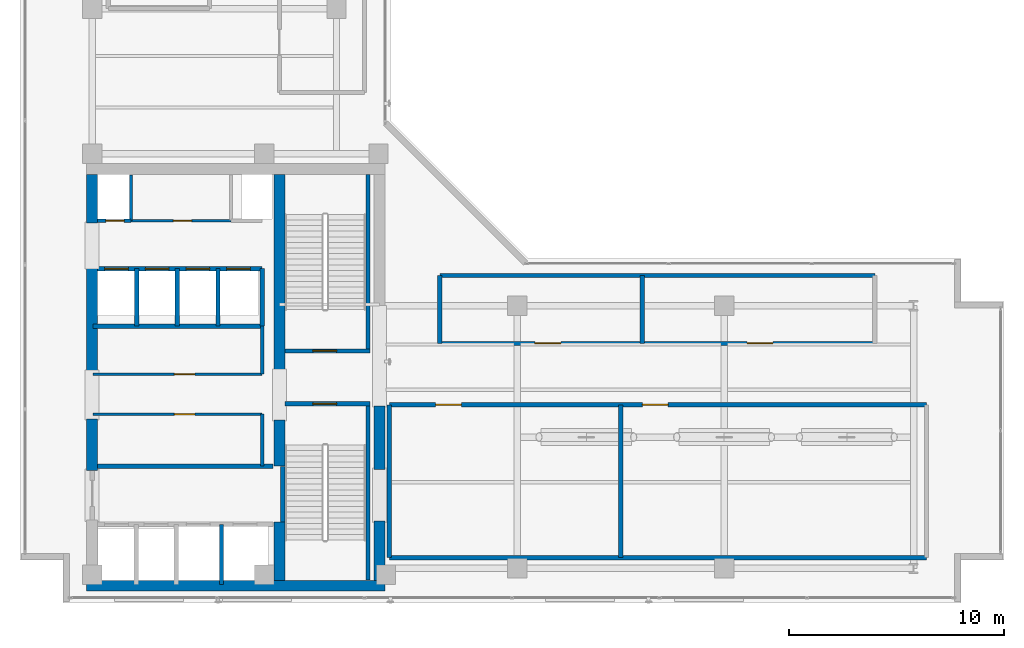
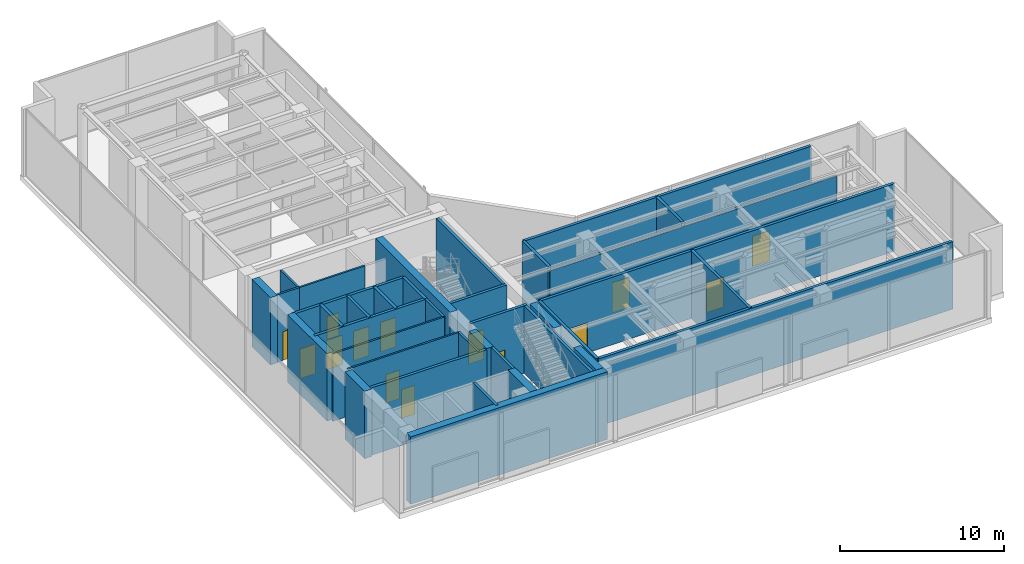
# One storey, part 25 of 29: 37 walls, 14 doors, 14 openings.
"""IFC4 building model written with IfcOpenShell, lengths in metres."""

from ifc_helpers import new_model, si_unit, direction, frame, frame_2d, origin, place, context, subcontext, project, spatial, rectangle, extrude, material, layer, layer_set, type_object, element, fill, save


model = new_model("IFC4")

# Units and contexts
model_context = context("Model", 3, precision=1e-05, world=origin(), true_north=direction((0.0, 1.0)))
body_context = subcontext(model_context, "Body", "Model", "MODEL_VIEW")
ifc_project = project(units=[si_unit("LENGTHUNIT", "METRE"), si_unit("AREAUNIT", "SQUARE_METRE"), si_unit("VOLUMEUNIT", "CUBIC_METRE"), si_unit("PLANEANGLEUNIT", "RADIAN"), si_unit("MASSUNIT", "GRAM", prefix="KILO")], contexts=[model_context])

# Site, building, storey
site_placement = place(None, origin())
site = spatial("IfcSite", under=ifc_project, at=site_placement, CompositionType="ELEMENT")
building_placement = place(site_placement, origin())
building = spatial("IfcBuilding", under=site, at=building_placement, Name="Kolvaren Waterfront Exchange", CompositionType="ELEMENT")
storey_placement = place(building_placement, frame((0.0, 0.0, 338.800048828125)))
storey = spatial("IfcBuildingStorey", under=building, at=storey_placement, Name="L87", CompositionType="ELEMENT", Elevation=338.800048828125)

# Wall, opening, door
ifc_material_1 = material(Name="Precast concrete C40/50", Category="concrete")
ifc_layer_1 = layer(ifc_material_1, 0.199951171875, Name="Precast concrete C40/50")
ifc_layer_set_1 = layer_set([ifc_layer_1], Name="Precast concrete C40/50")
wall_type_1 = type_object("IfcWallType", Name="ARC-FIRE-200", PredefinedType="PARTITIONING", material=ifc_layer_set_1)
wall_1_placement = place(storey_placement, frame((16.39990234375, 12.85009765625, 0.0), z_axis=(0.0, 0.0, 1.0), x_axis=(1.0, 0.0, 0.0)))
wall_1 = element("IfcWall", 1, at=wall_1_placement, inside=storey, type_object=wall_type_1, Name="L87 interior wall PW-L87-ST1-THROAT-S", PredefinedType="PARTITIONING", context=body_context, shape_type="SweptSolid", body=[
    extrude(rectangle(XDim=3.960205078125, YDim=0.199951171875, at=frame_2d((1.97998046875, 0.0))), origin(), (0.0, 0.0, 1.0), 5.02001953125),
])
opening_1_placement = place(wall_1_placement, frame((1.3037109375, 0.0, 0.0)))
opening_1 = element("IfcOpeningElement", 2, at=opening_1_placement, cuts=wall_1, Name="Opening FD2", PredefinedType="OPENING", context=body_context, shape_type="SweptSolid", body=[
    extrude(rectangle(XDim=1.10009765625, YDim=2.199951171875, at=frame_2d((0.550048828125, 1.10009765625))), frame((0.0, 0.10986328125, 0.0), z_axis=(0.0, -1.0, 0.0), x_axis=(1.0, 0.0, 0.0)), (0.0, 0.0, 1.0), 0.219970703125),
])
ifc_material_2 = material(Name="Pressed steel smoke-seal fire door", Category="steel")
door_type_1 = type_object("IfcDoorType", Name="ARC-FD-1100", OperationType="NOTDEFINED", PredefinedType="DOOR", material=ifc_material_2)
door_1_placement = place(opening_1_placement, frame((1.10009765625, 0.0, 0.0), z_axis=(0.0, 0.0, 1.0), x_axis=(-1.0, 0.0, 0.0)))
door_1 = element("IfcDoor", 3, at=door_1_placement, inside=storey, type_object=door_type_1, Name="L87 door DR-L87-ST1-IN (FD2)", OperationType="SINGLE_SWING_RIGHT", OverallHeight=2.199951171875, OverallWidth=1.10009765625, PredefinedType="DOOR", context=body_context, shape_type="SweptSolid", body=[
    extrude(rectangle(XDim=1.10009765625, YDim=2.199951171875, at=frame_2d((0.550048828125, 1.10009765625))), frame((0.0, 0.02490234375, 0.0), z_axis=(0.0, -1.0, 0.0), x_axis=(1.0, 0.0, 0.0)), (0.0, 0.0, 1.0), 0.050048828125),
])
fill(opening_1, door_1)

wall_2_placement = place(storey_placement, frame((16.409912109375, 15.300048828125, 0.0), z_axis=(0.0, 0.0, 1.0), x_axis=(1.0, 0.0, 0.0)))
wall_2 = element("IfcWall", 4, at=wall_2_placement, inside=storey, type_object=wall_type_1, Name="L87 interior wall PW-L87-ST2-THROAT-N", PredefinedType="PARTITIONING", context=body_context, shape_type="SweptSolid", body=[
    extrude(rectangle(XDim=3.9501953125, YDim=0.199951171875, at=frame_2d((1.97509765625, 0.0))), origin(), (0.0, 0.0, 1.0), 5.02001953125),
])
opening_2_placement = place(wall_2_placement, frame((1.293701171875, 0.0, 0.0)))
opening_2 = element("IfcOpeningElement", 5, at=opening_2_placement, cuts=wall_2, Name="Opening FD2", PredefinedType="OPENING", context=body_context, shape_type="SweptSolid", body=[
    extrude(rectangle(XDim=1.10009765625, YDim=2.199951171875, at=frame_2d((0.550048828125, 1.10009765625))), frame((0.0, 0.10986328125, 0.0), z_axis=(0.0, -1.0, 0.0), x_axis=(1.0, 0.0, 0.0)), (0.0, 0.0, 1.0), 0.219970703125),
])
door_2_placement = place(opening_2_placement, origin())
door_2 = element("IfcDoor", 6, at=door_2_placement, inside=storey, type_object=door_type_1, Name="L87 door DR-L87-ST2-IN (FD2)", OperationType="SINGLE_SWING_LEFT", OverallHeight=2.199951171875, OverallWidth=1.10009765625, PredefinedType="DOOR", context=body_context, shape_type="SweptSolid", body=[
    extrude(rectangle(XDim=1.10009765625, YDim=2.199951171875, at=frame_2d((0.550048828125, 1.10009765625))), frame((0.0, 0.02490234375, 0.0), z_axis=(0.0, -1.0, 0.0), x_axis=(1.0, 0.0, 0.0)), (0.0, 0.0, 1.0), 0.050048828125),
])
fill(opening_2, door_2)

# Wall
wall_3_placement = place(storey_placement, frame((7.5, 9.949951171875, 0.0), z_axis=(0.0, 0.0, 1.0), x_axis=(1.0, 0.0, 0.0)))
element("IfcWall", 7, at=wall_3_placement, inside=storey, type_object=wall_type_1, Name="L87 interior wall PW-L87-FF-N", PredefinedType="PARTITIONING", context=body_context, shape_type="SweptSolid", body=[
    extrude(rectangle(XDim=8.35009765625, YDim=0.199951171875, at=frame_2d((4.175048828125, 0.0))), origin(), (0.0, 0.0, 1.0), 5.02001953125),
])

# Wall, openings, doors
wall_4_placement = place(storey_placement, frame((23.60009765625, 15.64990234375, 0.0), z_axis=(0.0, 0.0, 1.0), x_axis=(1.0, 0.0, 0.0)))
wall_4 = element("IfcWall", 8, at=wall_4_placement, inside=storey, type_object=wall_type_1, Name="L87 interior wall PW-L87-NEPL-S", PredefinedType="PARTITIONING", context=body_context, shape_type="SweptSolid", body=[
    extrude(rectangle(XDim=20.199951171875, YDim=0.199951171875, at=frame_2d((10.10009765625, 0.0))), origin(), (0.0, 0.0, 1.0), 4.719970703125),
])
opening_3_placement = place(wall_4_placement, frame((4.414306640625, 0.0, 0.0)))
opening_3 = element("IfcOpeningElement", 9, at=opening_3_placement, cuts=wall_4, Name="Opening FD3", PredefinedType="OPENING", context=body_context, shape_type="SweptSolid", body=[
    extrude(rectangle(XDim=1.199951171875, YDim=2.25, at=frame_2d((0.60009765625, 1.125))), frame((0.0, 0.10986328125, 0.0), z_axis=(0.0, -1.0, 0.0), x_axis=(1.0, 0.0, 0.0)), (0.0, 0.0, 1.0), 0.219970703125),
])
opening_4_placement = place(wall_4_placement, frame((14.2705078125, 0.0, 0.0)))
opening_4 = element("IfcOpeningElement", 10, at=opening_4_placement, cuts=wall_4, Name="Opening FD3", PredefinedType="OPENING", context=body_context, shape_type="SweptSolid", body=[
    extrude(rectangle(XDim=1.199951171875, YDim=2.25, at=frame_2d((0.60009765625, 1.125))), frame((0.0, 0.10986328125, 0.0), z_axis=(0.0, -1.0, 0.0), x_axis=(1.0, 0.0, 0.0)), (0.0, 0.0, 1.0), 0.219970703125),
])
ifc_material_3 = material(Name="Pressed steel fire door", Category="steel")
door_type_2 = type_object("IfcDoorType", Name="ARC-FD-1200", OperationType="NOTDEFINED", PredefinedType="DOOR", material=ifc_material_3)
door_3_placement = place(opening_3_placement, origin())
door_3 = element("IfcDoor", 11, at=door_3_placement, inside=storey, type_object=door_type_2, Name="L87 door DR-L87-NEPL1-D (FD3)", OperationType="SINGLE_SWING_LEFT", OverallHeight=2.25, OverallWidth=1.199951171875, PredefinedType="DOOR", context=body_context, shape_type="SweptSolid", body=[
    extrude(rectangle(XDim=1.199951171875, YDim=2.25, at=frame_2d((0.60009765625, 1.125))), frame((0.0, 0.02490234375, 0.0), z_axis=(0.0, -1.0, 0.0), x_axis=(1.0, 0.0, 0.0)), (0.0, 0.0, 1.0), 0.050048828125),
])
fill(opening_3, door_3)
door_4_placement = place(opening_4_placement, origin())
door_4 = element("IfcDoor", 12, at=door_4_placement, inside=storey, type_object=door_type_2, Name="L87 door DR-L87-NEPL2-D (FD3)", OperationType="SINGLE_SWING_RIGHT", OverallHeight=2.25, OverallWidth=1.199951171875, PredefinedType="DOOR", context=body_context, shape_type="SweptSolid", body=[
    extrude(rectangle(XDim=1.199951171875, YDim=2.25, at=frame_2d((0.60009765625, 1.125))), frame((0.0, 0.02490234375, 0.0), z_axis=(0.0, -1.0, 0.0), x_axis=(1.0, 0.0, 0.0)), (0.0, 0.0, 1.0), 0.050048828125),
])
fill(opening_4, door_4)

# Walls
wall_5_placement = place(storey_placement, frame((23.60009765625, 15.64990234375, 0.0), z_axis=(0.0, 0.0, 1.0), x_axis=(0.0, 1.0, 0.0)))
element("IfcWall", 13, at=wall_5_placement, inside=storey, type_object=wall_type_1, Name="L87 interior wall PW-L87-NEPL-W", PredefinedType="PARTITIONING", context=body_context, shape_type="SweptSolid", body=[
    extrude(rectangle(XDim=3.150146484375, YDim=0.199951171875, at=frame_2d((1.5751953125, 0.0))), origin(), (0.0, 0.0, 1.0), 5.02001953125),
])
wall_6_placement = place(storey_placement, frame((23.60009765625, 18.800048828125, 0.0), z_axis=(0.0, 0.0, 1.0), x_axis=(1.0, 0.0, 0.0)))
element("IfcWall", 14, at=wall_6_placement, inside=storey, type_object=wall_type_1, Name="L87 interior wall PW-L87-NEPL-N", PredefinedType="PARTITIONING", context=body_context, shape_type="SweptSolid", body=[
    extrude(rectangle(XDim=20.199951171875, YDim=0.199951171875, at=frame_2d((10.10009765625, 0.0))), origin(), (0.0, 0.0, 1.0), 5.02001953125),
])
wall_7_placement = place(storey_placement, frame((33.0, 15.64990234375, 0.0), z_axis=(0.0, 0.0, 1.0), x_axis=(0.0, 1.0, 0.0)))
element("IfcWall", 15, at=wall_7_placement, inside=storey, type_object=wall_type_1, Name="L87 interior wall PW-L87-NEPL-M", PredefinedType="PARTITIONING", context=body_context, shape_type="SweptSolid", body=[
    extrude(rectangle(XDim=3.150146484375, YDim=0.199951171875, at=frame_2d((1.5751953125, 0.0))), origin(), (0.0, 0.0, 1.0), 5.02001953125),
])

# Wall, openings, doors
wall_8_placement = place(storey_placement, frame((21.25, 12.800048828125, 0.0), z_axis=(0.0, 0.0, 1.0), x_axis=(1.0, 0.0, 0.0)))
wall_8 = element("IfcWall", 16, at=wall_8_placement, inside=storey, type_object=wall_type_1, Name="L87 interior wall PW-L87-PL-N1", PredefinedType="PARTITIONING", context=body_context, shape_type="SweptSolid", body=[
    extrude(rectangle(XDim=24.949951171875, YDim=0.199951171875, at=frame_2d((12.47509765625, 0.0))), origin(), (0.0, 0.0, 1.0), 5.02001953125),
])
opening_5_placement = place(wall_8_placement, frame((2.1474609375, 0.0, 0.0)))
opening_5 = element("IfcOpeningElement", 17, at=opening_5_placement, cuts=wall_8, Name="Opening FD3", PredefinedType="OPENING", context=body_context, shape_type="SweptSolid", body=[
    extrude(rectangle(XDim=1.199951171875, YDim=2.25, at=frame_2d((0.60009765625, 1.125))), frame((0.0, 0.10986328125, 0.0), z_axis=(0.0, -1.0, 0.0), x_axis=(1.0, 0.0, 0.0)), (0.0, 0.0, 1.0), 0.219970703125),
])
opening_6_placement = place(wall_8_placement, frame((11.75, 0.0, 0.0)))
opening_6 = element("IfcOpeningElement", 18, at=opening_6_placement, cuts=wall_8, Name="Opening FD3", PredefinedType="OPENING", context=body_context, shape_type="SweptSolid", body=[
    extrude(rectangle(XDim=1.199951171875, YDim=2.25, at=frame_2d((0.60009765625, 1.125))), frame((0.0, 0.10986328125, 0.0), z_axis=(0.0, -1.0, 0.0), x_axis=(1.0, 0.0, 0.0)), (0.0, 0.0, 1.0), 0.219970703125),
])
door_5_placement = place(opening_5_placement, origin())
door_5 = element("IfcDoor", 19, at=door_5_placement, inside=storey, type_object=door_type_2, Name="L87 door DR-L87-PLES-D1 (FD3)", OperationType="SINGLE_SWING_LEFT", OverallHeight=2.25, OverallWidth=1.199951171875, PredefinedType="DOOR", context=body_context, shape_type="SweptSolid", body=[
    extrude(rectangle(XDim=1.199951171875, YDim=2.25, at=frame_2d((0.60009765625, 1.125))), frame((0.0, 0.02490234375, 0.0), z_axis=(0.0, -1.0, 0.0), x_axis=(1.0, 0.0, 0.0)), (0.0, 0.0, 1.0), 0.050048828125),
])
fill(opening_5, door_5)
door_6_placement = place(opening_6_placement, origin())
door_6 = element("IfcDoor", 20, at=door_6_placement, inside=storey, type_object=door_type_2, Name="L87 door DR-L87-PLES-D2 (FD3)", OperationType="SINGLE_SWING_RIGHT", OverallHeight=2.25, OverallWidth=1.199951171875, PredefinedType="DOOR", context=body_context, shape_type="SweptSolid", body=[
    extrude(rectangle(XDim=1.199951171875, YDim=2.25, at=frame_2d((0.60009765625, 1.125))), frame((0.0, 0.02490234375, 0.0), z_axis=(0.0, -1.0, 0.0), x_axis=(1.0, 0.0, 0.0)), (0.0, 0.0, 1.0), 0.050048828125),
])
fill(opening_6, door_6)

# Walls
wall_9_placement = place(storey_placement, frame((21.25, 5.699951171875, 0.0), z_axis=(0.0, 0.0, 1.0), x_axis=(0.0, 1.0, 0.0)))
element("IfcWall", 21, at=wall_9_placement, inside=storey, type_object=wall_type_1, Name="L87 interior wall PW-L87-PL-W1", PredefinedType="PARTITIONING", context=body_context, shape_type="SweptSolid", body=[
    extrude(rectangle(XDim=7.10009765625, YDim=0.199951171875, at=frame_2d((3.550048828125, 0.0))), origin(), (0.0, 0.0, 1.0), 5.02001953125),
])
wall_10_placement = place(storey_placement, frame((21.25, 5.699951171875, 0.0), z_axis=(0.0, 0.0, 1.0), x_axis=(1.0, 0.0, 0.0)))
element("IfcWall", 22, at=wall_10_placement, inside=storey, type_object=wall_type_1, Name="L87 interior wall PW-L87-PL-S1", PredefinedType="PARTITIONING", context=body_context, shape_type="SweptSolid", body=[
    extrude(rectangle(XDim=24.949951171875, YDim=0.199951171875, at=frame_2d((12.47509765625, 0.0))), origin(), (0.0, 0.0, 1.0), 5.02001953125),
])
wall_11_placement = place(storey_placement, frame((32.0, 5.699951171875, 0.0), z_axis=(0.0, 0.0, 1.0), x_axis=(0.0, 1.0, 0.0)))
element("IfcWall", 23, at=wall_11_placement, inside=storey, type_object=wall_type_1, Name="L87 interior wall PW-L87-PL-M1-1", PredefinedType="PARTITIONING", context=body_context, shape_type="SweptSolid", body=[
    extrude(rectangle(XDim=7.10009765625, YDim=0.199951171875, at=frame_2d((3.550048828125, 0.0))), origin(), (0.0, 0.0, 1.0), 5.02001953125),
])

# Wall, opening, door
ifc_material_4 = material(Name="Acoustic gypsum steel stud", Category="steel")
ifc_layer_2 = layer(ifc_material_4, 0.125, Name="Acoustic gypsum steel stud")
ifc_layer_set_2 = layer_set([ifc_layer_2], Name="Acoustic gypsum steel stud")
wall_type_2 = type_object("IfcWallType", Name="ARC-PART-125", PredefinedType="PARTITIONING", material=ifc_layer_set_2)
wall_12_placement = place(storey_placement, frame((7.5, 12.360107421875, 0.0), z_axis=(0.0, 0.0, 1.0), x_axis=(1.0, 0.0, 0.0)))
wall_12 = element("IfcWall", 24, at=wall_12_placement, inside=storey, type_object=wall_type_2, Name="L87 interior wall PW-L87-REC-HI-S", PredefinedType="PARTITIONING", context=body_context, shape_type="SweptSolid", body=[
    extrude(rectangle(XDim=7.85009765625, YDim=0.125, at=frame_2d((3.925048828125, 0.0))), origin(), (0.0, 0.0, 1.0), 5.02001953125),
])
opening_7_placement = place(wall_12_placement, frame((3.77490234375, 0.0, 0.0)))
opening_7 = element("IfcOpeningElement", 25, at=opening_7_placement, cuts=wall_12, Name="Opening D02", PredefinedType="OPENING", context=body_context, shape_type="SweptSolid", body=[
    extrude(rectangle(XDim=0.949951171875, YDim=2.14990234375, at=frame_2d((0.47509765625, 1.074951171875))), frame((0.0, 0.072509765625, 0.0), z_axis=(0.0, -1.0, 0.0), x_axis=(1.0, 0.0, 0.0)), (0.0, 0.0, 1.0), 0.14501953125),
])
ifc_material_5 = material(Name="Oak veneer acoustic timber", Category="wood")
door_type_3 = type_object("IfcDoorType", Name="ARC-DR-950", OperationType="NOTDEFINED", PredefinedType="DOOR", material=ifc_material_5)
door_7_placement = place(opening_7_placement, origin())
door_7 = element("IfcDoor", 26, at=door_7_placement, inside=storey, type_object=door_type_3, Name="L87 door DR-L87-REC-HI-D1 (D02)", OperationType="SINGLE_SWING_LEFT", OverallHeight=2.14990234375, OverallWidth=0.949951171875, PredefinedType="DOOR", context=body_context, shape_type="SweptSolid", body=[
    extrude(rectangle(XDim=0.949951171875, YDim=2.14990234375, at=frame_2d((0.47509765625, 1.074951171875))), frame((0.0, 0.02490234375, 0.0), z_axis=(0.0, -1.0, 0.0), x_axis=(1.0, 0.0, 0.0)), (0.0, 0.0, 1.0), 0.050048828125),
])
fill(opening_7, door_7)

wall_13_placement = place(storey_placement, frame((7.5, 14.219970703125, 0.0), z_axis=(0.0, 0.0, 1.0), x_axis=(1.0, 0.0, 0.0)))
wall_13 = element("IfcWall", 27, at=wall_13_placement, inside=storey, type_object=wall_type_2, Name="L87 interior wall PW-L87-REC-HI-N", PredefinedType="PARTITIONING", context=body_context, shape_type="SweptSolid", body=[
    extrude(rectangle(XDim=7.85009765625, YDim=0.125, at=frame_2d((3.925048828125, 0.0))), origin(), (0.0, 0.0, 1.0), 5.02001953125),
])
opening_8_placement = place(wall_13_placement, frame((3.77490234375, 0.0, 0.0)))
opening_8 = element("IfcOpeningElement", 28, at=opening_8_placement, cuts=wall_13, Name="Opening D02", PredefinedType="OPENING", context=body_context, shape_type="SweptSolid", body=[
    extrude(rectangle(XDim=0.949951171875, YDim=2.14990234375, at=frame_2d((0.47509765625, 1.074951171875))), frame((0.0, 0.072509765625, 0.0), z_axis=(0.0, -1.0, 0.0), x_axis=(1.0, 0.0, 0.0)), (0.0, 0.0, 1.0), 0.14501953125),
])
door_8_placement = place(opening_8_placement, origin())
door_8 = element("IfcDoor", 29, at=door_8_placement, inside=storey, type_object=door_type_3, Name="L87 door DR-L87-REC-HI-D2 (D02)", OperationType="SINGLE_SWING_RIGHT", OverallHeight=2.14990234375, OverallWidth=0.949951171875, PredefinedType="DOOR", context=body_context, shape_type="SweptSolid", body=[
    extrude(rectangle(XDim=0.949951171875, YDim=2.14990234375, at=frame_2d((0.47509765625, 1.074951171875))), frame((0.0, 0.02490234375, 0.0), z_axis=(0.0, -1.0, 0.0), x_axis=(1.0, 0.0, 0.0)), (0.0, 0.0, 1.0), 0.050048828125),
])
fill(opening_8, door_8)

wall_14_placement = place(storey_placement, frame((9.25, 21.35009765625, 0.0), z_axis=(0.0, 0.0, 1.0), x_axis=(1.0, 0.0, 0.0)))
wall_14 = element("IfcWall", 30, at=wall_14_placement, inside=storey, type_object=wall_type_2, Name="L87 interior wall PW-L87-SVC-HI-S", PredefinedType="PARTITIONING", context=body_context, shape_type="SweptSolid", body=[
    extrude(rectangle(XDim=4.64990234375, YDim=0.125, at=frame_2d((2.324951171875, 0.0))), origin(), (0.0, 0.0, 1.0), 5.02001953125),
])
opening_9_placement = place(wall_14_placement, frame((1.971435546875, 0.0, 0.0)))
opening_9 = element("IfcOpeningElement", 31, at=opening_9_placement, cuts=wall_14, Name="Opening D01", PredefinedType="OPENING", context=body_context, shape_type="SweptSolid", body=[
    extrude(rectangle(XDim=0.85009765625, YDim=2.14990234375, at=frame_2d((0.425048828125, 1.074951171875))), frame((0.0, 0.072509765625, 0.0), z_axis=(0.0, -1.0, 0.0), x_axis=(1.0, 0.0, 0.0)), (0.0, 0.0, 1.0), 0.14501953125),
])
ifc_material_6 = material(Name="Oak veneer timber leaf", Category="wood")
door_type_4 = type_object("IfcDoorType", Name="ARC-DR-900", OperationType="NOTDEFINED", PredefinedType="DOOR", material=ifc_material_6)
door_9_placement = place(opening_9_placement, origin())
door_9 = element("IfcDoor", 32, at=door_9_placement, inside=storey, type_object=door_type_4, Name="L87 door DR-L87-SVC-DR-1 (D01)", OperationType="SINGLE_SWING_RIGHT", OverallHeight=2.14990234375, OverallWidth=0.85009765625, PredefinedType="DOOR", context=body_context, shape_type="SweptSolid", body=[
    extrude(rectangle(XDim=0.85009765625, YDim=2.14990234375, at=frame_2d((0.425048828125, 1.074951171875))), frame((0.0, 0.02490234375, 0.0), z_axis=(0.0, -1.0, 0.0), x_axis=(1.0, 0.0, 0.0)), (0.0, 0.0, 1.0), 0.050048828125),
])
fill(opening_9, door_9)

# Walls
ifc_material_7 = material(Name="Gypsum fireboard steel stud", Category="steel")
ifc_layer_3 = layer(ifc_material_7, 0.14990234375, Name="Gypsum fireboard steel stud")
ifc_layer_set_3 = layer_set([ifc_layer_3], Name="Gypsum fireboard steel stud")
wall_type_3 = type_object("IfcWallType", Name="ARC-PART-150", PredefinedType="PARTITIONING", material=ifc_layer_set_3)
wall_15_placement = place(storey_placement, frame((15.35009765625, 9.949951171875, 0.0), z_axis=(0.0, 0.0, 1.0), x_axis=(0.0, 1.0, 0.0)))
element("IfcWall", 33, at=wall_15_placement, inside=storey, type_object=wall_type_3, Name="L87 interior wall PW-L87-REC-HI-E1", PredefinedType="PARTITIONING", context=body_context, shape_type="SweptSolid", body=[
    extrude(rectangle(XDim=2.41015625, YDim=0.14990234375, at=frame_2d((1.205078125, 0.0))), origin(), (0.0, 0.0, 1.0), 5.02001953125),
])
wall_16_placement = place(storey_placement, frame((15.35009765625, 14.219970703125, 0.0), z_axis=(0.0, 0.0, 1.0), x_axis=(0.0, 1.0, 0.0)))
element("IfcWall", 34, at=wall_16_placement, inside=storey, type_object=wall_type_3, Name="L87 interior wall PW-L87-REC-HI-E2", PredefinedType="PARTITIONING", context=body_context, shape_type="SweptSolid", body=[
    extrude(rectangle(XDim=2.22998046875, YDim=0.14990234375, at=frame_2d((1.114990234375, 0.0))), origin(), (0.0, 0.0, 1.0), 5.02001953125),
])
wall_17_placement = place(storey_placement, frame((9.25, 21.35009765625, 0.0), z_axis=(0.0, 0.0, 1.0), x_axis=(0.0, 1.0, 0.0)))
element("IfcWall", 35, at=wall_17_placement, inside=storey, type_object=wall_type_3, Name="L87 interior wall PW-L87-SVC-R1", PredefinedType="PARTITIONING", context=body_context, shape_type="SweptSolid", body=[
    extrude(rectangle(XDim=2.1298828125, YDim=0.14990234375, at=frame_2d((1.06494140625, 0.0))), origin(), (0.0, 0.0, 1.0), 5.02001953125),
])

# Wall, opening, door
wall_18_placement = place(storey_placement, frame((7.699951171875, 21.35009765625, 0.0), z_axis=(0.0, 0.0, 1.0), x_axis=(1.0, 0.0, 0.0)))
wall_18 = element("IfcWall", 36, at=wall_18_placement, inside=storey, type_object=wall_type_3, Name="L87 interior wall PW-L87-SVC-RE-S", PredefinedType="PARTITIONING", context=body_context, shape_type="SweptSolid", body=[
    extrude(rectangle(XDim=1.550048828125, YDim=0.14990234375, at=frame_2d((0.77490234375, 0.0))), origin(), (0.0, 0.0, 1.0), 5.02001953125),
])
opening_10_placement = place(wall_18_placement, frame((0.389892578125, 0.0, 0.0)))
opening_10 = element("IfcOpeningElement", 37, at=opening_10_placement, cuts=wall_18, Name="Opening FD1", PredefinedType="OPENING", context=body_context, shape_type="SweptSolid", body=[
    extrude(rectangle(XDim=0.85009765625, YDim=2.14990234375, at=frame_2d((0.425048828125, 1.074951171875))), frame((0.0, 0.0849609375, 0.0), z_axis=(0.0, -1.0, 0.0), x_axis=(1.0, 0.0, 0.0)), (0.0, 0.0, 1.0), 0.169921875),
])
ifc_material_8 = material(Name="Pressed steel fire leaf", Category="steel")
door_type_5 = type_object("IfcDoorType", Name="ARC-FD-900", OperationType="NOTDEFINED", PredefinedType="DOOR", material=ifc_material_8)
door_10_placement = place(opening_10_placement, origin())
door_10 = element("IfcDoor", 38, at=door_10_placement, inside=storey, type_object=door_type_5, Name="L87 door DR-L87-RISER-E-DR (FD1)", OperationType="SINGLE_SWING_LEFT", OverallHeight=2.14990234375, OverallWidth=0.85009765625, PredefinedType="DOOR", context=body_context, shape_type="SweptSolid", body=[
    extrude(rectangle(XDim=0.85009765625, YDim=2.14990234375, at=frame_2d((0.425048828125, 1.074951171875))), frame((0.0, 0.02490234375, 0.0), z_axis=(0.0, -1.0, 0.0), x_axis=(1.0, 0.0, 0.0)), (0.0, 0.0, 1.0), 0.050048828125),
])
fill(opening_10, door_10)

# Walls
ifc_material_9 = material(Name="Concrete C40/50", Category="concrete")
ifc_layer_4 = layer(ifc_material_9, 0.199951171875, Name="Concrete C40/50")
ifc_layer_set_4 = layer_set([ifc_layer_4], Name="Concrete C40/50")
wall_type_4 = type_object("IfcWallType", Name="ARC-SHAFT-200", PredefinedType="PARTITIONING", material=ifc_layer_set_4)
wall_19_placement = place(storey_placement, frame((16.300048828125, 7.360107421875, 0.0), z_axis=(0.0, 0.0, 1.0), x_axis=(0.0, 1.0, 0.0)))
element("IfcWall", 39, at=wall_19_placement, inside=storey, type_object=wall_type_4, Name="L87 structural stairwell wall PW-L87-ST1-W", PredefinedType="SHEAR", context=body_context, shape_type="SweptSolid", body=[
    extrude(rectangle(XDim=2.579833984375, YDim=0.199951171875, at=frame_2d((1.2900390625, 0.0))), origin(), (0.0, 0.0, 1.0), 5.02001953125),
])
for number, where, z_axis, x_axis, name in (
    (40, (20.260009765625, 4.659912109375, 0.0), (0.0, 0.0, 1.0), (0.0, 1.0, 0.0), "L87 structural stairwell wall PW-L87-ST1-E"),
    (41, (20.260009765625, 15.39990234375, 0.0), (0.0, 0.0, 1.0), (0.0, 1.0, 0.0), "L87 structural stairwell wall PW-L87-ST2-E"),
):
    element("IfcWall", number, at=place(storey_placement, frame(where, z_axis=z_axis, x_axis=x_axis)), inside=storey, type_object=wall_type_4, Name=name, PredefinedType="SHEAR", context=body_context, shape_type="SweptSolid", body=[
        extrude(rectangle(XDim=8.090087890625, YDim=0.199951171875, at=frame_2d((4.044921875, 0.0))), origin(), (0.0, 0.0, 1.0), 5.02001953125),
    ])
wall_20_placement = place(storey_placement, frame((13.4599609375, 4.449951171875, 0.0), z_axis=(0.0, 0.0, 1.0), x_axis=(0.0, 1.0, 0.0)))
element("IfcWall", 42, at=wall_20_placement, inside=storey, type_object=wall_type_4, Name="L87 interior wall PW-L87-SH1-DIV-134", PredefinedType="PARTITIONING", context=body_context, shape_type="SweptSolid", body=[
    extrude(rectangle(XDim=2.800048828125, YDim=0.199951171875, at=frame_2d((1.39990234375, 0.0))), origin(), (0.0, 0.0, 1.0), 5.02001953125),
])
wall_21_placement = place(storey_placement, frame((7.5, 16.449951171875, 0.0), z_axis=(0.0, 0.0, 1.0), x_axis=(1.0, 0.0, 0.0)))
element("IfcWall", 43, at=wall_21_placement, inside=storey, type_object=wall_type_4, Name="L87 interior wall PW-L87-REC-PM-N", PredefinedType="PARTITIONING", context=body_context, shape_type="SweptSolid", body=[
    extrude(rectangle(XDim=7.85009765625, YDim=0.199951171875, at=frame_2d((3.925048828125, 0.0))), origin(), (0.0, 0.0, 1.0), 5.02001953125),
])

# Wall, openings, doors
wall_22_placement = place(storey_placement, frame((7.5, 19.1201171875, 0.0), z_axis=(0.0, 0.0, 1.0), x_axis=(1.0, 0.0, 0.0)))
wall_22 = element("IfcWall", 44, at=wall_22_placement, inside=storey, type_object=wall_type_4, Name="L87 interior wall PW-L87-PH-N", PredefinedType="PARTITIONING", context=body_context, shape_type="SweptSolid", body=[
    extrude(rectangle(XDim=7.85009765625, YDim=0.199951171875, at=frame_2d((3.925048828125, 0.0))), origin(), (0.0, 0.0, 1.0), 5.02001953125),
])
opening_11_placement = place(wall_22_placement, frame((0.530029296875, 0.0, 0.0)))
opening_11 = element("IfcOpeningElement", 45, at=opening_11_placement, cuts=wall_22, Name="Opening LD2", PredefinedType="OPENING", context=body_context, shape_type="SweptSolid", body=[
    extrude(rectangle(XDim=1.10009765625, YDim=2.199951171875, at=frame_2d((0.550048828125, 1.10009765625))), frame((0.0, 0.10986328125, 0.0), z_axis=(0.0, -1.0, 0.0), x_axis=(1.0, 0.0, 0.0)), (0.0, 0.0, 1.0), 0.219970703125),
])
opening_12_placement = place(wall_22_placement, frame((2.419921875, 0.0, 0.0)))
opening_12 = element("IfcOpeningElement", 46, at=opening_12_placement, cuts=wall_22, Name="Opening LD2", PredefinedType="OPENING", context=body_context, shape_type="SweptSolid", body=[
    extrude(rectangle(XDim=1.10009765625, YDim=2.199951171875, at=frame_2d((0.550048828125, 1.10009765625))), frame((0.0, 0.10986328125, 0.0), z_axis=(0.0, -1.0, 0.0), x_axis=(1.0, 0.0, 0.0)), (0.0, 0.0, 1.0), 0.219970703125),
])
opening_13_placement = place(wall_22_placement, frame((4.31005859375, 0.0, 0.0)))
opening_13 = element("IfcOpeningElement", 47, at=opening_13_placement, cuts=wall_22, Name="Opening LD2", PredefinedType="OPENING", context=body_context, shape_type="SweptSolid", body=[
    extrude(rectangle(XDim=1.10009765625, YDim=2.199951171875, at=frame_2d((0.550048828125, 1.10009765625))), frame((0.0, 0.10986328125, 0.0), z_axis=(0.0, -1.0, 0.0), x_axis=(1.0, 0.0, 0.0)), (0.0, 0.0, 1.0), 0.219970703125),
])
opening_14_placement = place(wall_22_placement, frame((6.199951171875, 0.0, 0.0)))
opening_14 = element("IfcOpeningElement", 48, at=opening_14_placement, cuts=wall_22, Name="Opening LD2", PredefinedType="OPENING", context=body_context, shape_type="SweptSolid", body=[
    extrude(rectangle(XDim=1.10009765625, YDim=2.199951171875, at=frame_2d((0.550048828125, 1.10009765625))), frame((0.0, 0.10986328125, 0.0), z_axis=(0.0, -1.0, 0.0), x_axis=(1.0, 0.0, 0.0)), (0.0, 0.0, 1.0), 0.219970703125),
])
ifc_material_10 = material(Name="Brushed bronze sliding landing door", Category="aluminium")
door_type_6 = type_object("IfcDoorType", Name="ARC-LD-PAX", OperationType="SLIDING_TO_LEFT", PredefinedType="DOOR", material=ifc_material_10)
door_11_placement = place(opening_11_placement, origin())
door_11 = element("IfcDoor", 49, at=door_11_placement, inside=storey, type_object=door_type_6, Name="L87 door LD-L87-PH1 (LD2)", OperationType="SLIDING_TO_LEFT", OverallHeight=2.199951171875, OverallWidth=1.10009765625, PredefinedType="DOOR", context=body_context, shape_type="SweptSolid", body=[
    extrude(rectangle(XDim=1.10009765625, YDim=2.199951171875, at=frame_2d((0.550048828125, 1.10009765625))), frame((0.0, 0.02490234375, 0.0), z_axis=(0.0, -1.0, 0.0), x_axis=(1.0, 0.0, 0.0)), (0.0, 0.0, 1.0), 0.050048828125),
])
fill(opening_11, door_11)
door_12_placement = place(opening_12_placement, origin())
door_12 = element("IfcDoor", 50, at=door_12_placement, inside=storey, type_object=door_type_6, Name="L87 door LD-L87-PH2 (LD2)", OperationType="SLIDING_TO_LEFT", OverallHeight=2.199951171875, OverallWidth=1.10009765625, PredefinedType="DOOR", context=body_context, shape_type="SweptSolid", body=[
    extrude(rectangle(XDim=1.10009765625, YDim=2.199951171875, at=frame_2d((0.550048828125, 1.10009765625))), frame((0.0, 0.02490234375, 0.0), z_axis=(0.0, -1.0, 0.0), x_axis=(1.0, 0.0, 0.0)), (0.0, 0.0, 1.0), 0.050048828125),
])
fill(opening_12, door_12)
door_13_placement = place(opening_13_placement, origin())
door_13 = element("IfcDoor", 51, at=door_13_placement, inside=storey, type_object=door_type_6, Name="L87 door LD-L87-PH3 (LD2)", OperationType="SLIDING_TO_LEFT", OverallHeight=2.199951171875, OverallWidth=1.10009765625, PredefinedType="DOOR", context=body_context, shape_type="SweptSolid", body=[
    extrude(rectangle(XDim=1.10009765625, YDim=2.199951171875, at=frame_2d((0.550048828125, 1.10009765625))), frame((0.0, 0.02490234375, 0.0), z_axis=(0.0, -1.0, 0.0), x_axis=(1.0, 0.0, 0.0)), (0.0, 0.0, 1.0), 0.050048828125),
])
fill(opening_13, door_13)
door_14_placement = place(opening_14_placement, origin())
door_14 = element("IfcDoor", 52, at=door_14_placement, inside=storey, type_object=door_type_6, Name="L87 door LD-L87-PH4 (LD2)", OperationType="SLIDING_TO_LEFT", OverallHeight=2.199951171875, OverallWidth=1.10009765625, PredefinedType="DOOR", context=body_context, shape_type="SweptSolid", body=[
    extrude(rectangle(XDim=1.10009765625, YDim=2.199951171875, at=frame_2d((0.550048828125, 1.10009765625))), frame((0.0, 0.02490234375, 0.0), z_axis=(0.0, -1.0, 0.0), x_axis=(1.0, 0.0, 0.0)), (0.0, 0.0, 1.0), 0.050048828125),
])
fill(opening_14, door_14)

# Walls
for number, where, z_axis, x_axis, name in (
    (53, (15.35009765625, 16.449951171875, 0.0), (0.0, 0.0, 1.0), (0.0, 1.0, 0.0), "L87 interior wall PW-L87-PH-E"),
    (54, (9.52001953125, 16.449951171875, 0.0), (0.0, 0.0, 1.0), (0.0, 1.0, 0.0), "L87 interior wall PW-L87-SH4-DIV-95"),
    (55, (11.409912109375, 16.449951171875, 0.0), (0.0, 0.0, 1.0), (0.0, 1.0, 0.0), "L87 interior wall PW-L87-SH4-DIV-114"),
    (56, (13.300048828125, 16.449951171875, 0.0), (0.0, 0.0, 1.0), (0.0, 1.0, 0.0), "L87 interior wall PW-L87-SH4-DIV-133"),
):
    element("IfcWall", number, at=place(storey_placement, frame(where, z_axis=z_axis, x_axis=x_axis)), inside=storey, type_object=wall_type_4, Name=name, PredefinedType="PARTITIONING", context=body_context, shape_type="SweptSolid", body=[
        extrude(rectangle(XDim=2.670166015625, YDim=0.199951171875, at=frame_2d((1.3349609375, 0.0))), origin(), (0.0, 0.0, 1.0), 5.02001953125),
    ])
ifc_material_11 = material(Name="Concrete C50/60", Category="concrete")
ifc_layer_5 = layer(ifc_material_11, 0.5, Name="Concrete C50/60")
ifc_layer_set_5 = layer_set([ifc_layer_5], Name="Concrete C50/60")
wall_type_5 = type_object("IfcWallType", Name="STR-CWALL-500", PredefinedType="SHEAR", material=ifc_layer_set_5)
wall_23_placement = place(storey_placement, frame((7.199951171875, 4.39990234375, 0.0), z_axis=(0.0, 0.0, 1.0), x_axis=(1.0, 0.0, 0.0)))
element("IfcWall", 57, at=wall_23_placement, inside=storey, type_object=wall_type_5, Name="L87 rear-core shear wall S", PredefinedType="SHEAR", context=body_context, shape_type="SweptSolid", body=[
    extrude(rectangle(XDim=13.85009765625, YDim=0.5, at=frame_2d((6.925048828125, 0.0))), origin(), (0.0, 0.0, 1.0), 5.02001953125),
])
wall_24_placement = place(storey_placement, frame((7.449951171875, 9.75, 0.0), z_axis=(0.0, 0.0, 1.0), x_axis=(0.0, 1.0, 0.0)))
element("IfcWall", 58, at=wall_24_placement, inside=storey, type_object=wall_type_5, Name="L87 rear-core shear wall W2A", PredefinedType="SHEAR", context=body_context, shape_type="SweptSolid", body=[
    extrude(rectangle(XDim=2.39990234375, YDim=0.5, at=frame_2d((1.199951171875, 0.0))), origin(), (0.0, 0.0, 1.0), 5.02001953125),
])
wall_25_placement = place(storey_placement, frame((7.449951171875, 14.35009765625, 0.0), z_axis=(0.0, 0.0, 1.0), x_axis=(0.0, 1.0, 0.0)))
element("IfcWall", 59, at=wall_25_placement, inside=storey, type_object=wall_type_5, Name="L87 rear-core shear wall W2B", PredefinedType="SHEAR", context=body_context, shape_type="SweptSolid", body=[
    extrude(rectangle(XDim=4.809814453125, YDim=0.5, at=frame_2d((2.40478515625, 0.0))), origin(), (0.0, 0.0, 1.0), 5.02001953125),
])
wall_26_placement = place(storey_placement, frame((7.449951171875, 21.239990234375, 0.0), z_axis=(0.0, 0.0, 1.0), x_axis=(0.0, 1.0, 0.0)))
element("IfcWall", 60, at=wall_26_placement, inside=storey, type_object=wall_type_5, Name="L87 rear-core shear wall W3", PredefinedType="SHEAR", context=body_context, shape_type="SweptSolid", body=[
    extrude(rectangle(XDim=2.260009765625, YDim=0.5, at=frame_2d((1.1298828125, 0.0))), origin(), (0.0, 0.0, 1.0), 5.02001953125),
])
wall_27_placement = place(storey_placement, frame((20.800048828125, 4.64990234375, 0.0), z_axis=(0.0, 0.0, 1.0), x_axis=(0.0, 1.0, 0.0)))
element("IfcWall", 61, at=wall_27_placement, inside=storey, type_object=wall_type_5, Name="L87 rear-core shear wall E1", PredefinedType="SHEAR", context=body_context, shape_type="SweptSolid", body=[
    extrude(rectangle(XDim=2.75, YDim=0.5, at=frame_2d((1.375, 0.0))), origin(), (0.0, 0.0, 1.0), 5.02001953125),
])
wall_28_placement = place(storey_placement, frame((20.800048828125, 9.800048828125, 0.0), z_axis=(0.0, 0.0, 1.0), x_axis=(0.0, 1.0, 0.0)))
element("IfcWall", 62, at=wall_28_placement, inside=storey, type_object=wall_type_5, Name="L87 rear-core shear wall E2", PredefinedType="SHEAR", context=body_context, shape_type="SweptSolid", body=[
    extrude(rectangle(XDim=2.949951171875, YDim=0.5, at=frame_2d((1.47509765625, 0.0))), origin(), (0.0, 0.0, 1.0), 5.02001953125),
])
wall_29_placement = place(storey_placement, frame((16.14990234375, 4.64990234375, 0.0), z_axis=(0.0, 0.0, 1.0), x_axis=(0.0, 1.0, 0.0)))
element("IfcWall", 63, at=wall_29_placement, inside=storey, type_object=wall_type_5, Name="L87 rear-core shear wall M1", PredefinedType="SHEAR", context=body_context, shape_type="SweptSolid", body=[
    extrude(rectangle(XDim=2.7001953125, YDim=0.5, at=frame_2d((1.35009765625, 0.0))), origin(), (0.0, 0.0, 1.0), 5.02001953125),
])
wall_30_placement = place(storey_placement, frame((16.14990234375, 9.949951171875, 0.0), z_axis=(0.0, 0.0, 1.0), x_axis=(0.0, 1.0, 0.0)))
element("IfcWall", 64, at=wall_30_placement, inside=storey, type_object=wall_type_5, Name="L87 rear-core shear wall M2", PredefinedType="SHEAR", context=body_context, shape_type="SweptSolid", body=[
    extrude(rectangle(XDim=2.150146484375, YDim=0.5, at=frame_2d((1.0751953125, 0.0))), origin(), (0.0, 0.0, 1.0), 5.02001953125),
])
wall_31_placement = place(storey_placement, frame((16.14990234375, 14.39990234375, 0.0), z_axis=(0.0, 0.0, 1.0), x_axis=(0.0, 1.0, 0.0)))
element("IfcWall", 65, at=wall_31_placement, inside=storey, type_object=wall_type_5, Name="L87 rear-core shear wall M3", PredefinedType="SHEAR", context=body_context, shape_type="SweptSolid", body=[
    extrude(rectangle(XDim=9.10009765625, YDim=0.5, at=frame_2d((4.550048828125, 0.0))), origin(), (0.0, 0.0, 1.0), 5.02001953125),
])

save(model, "model.ifc")
